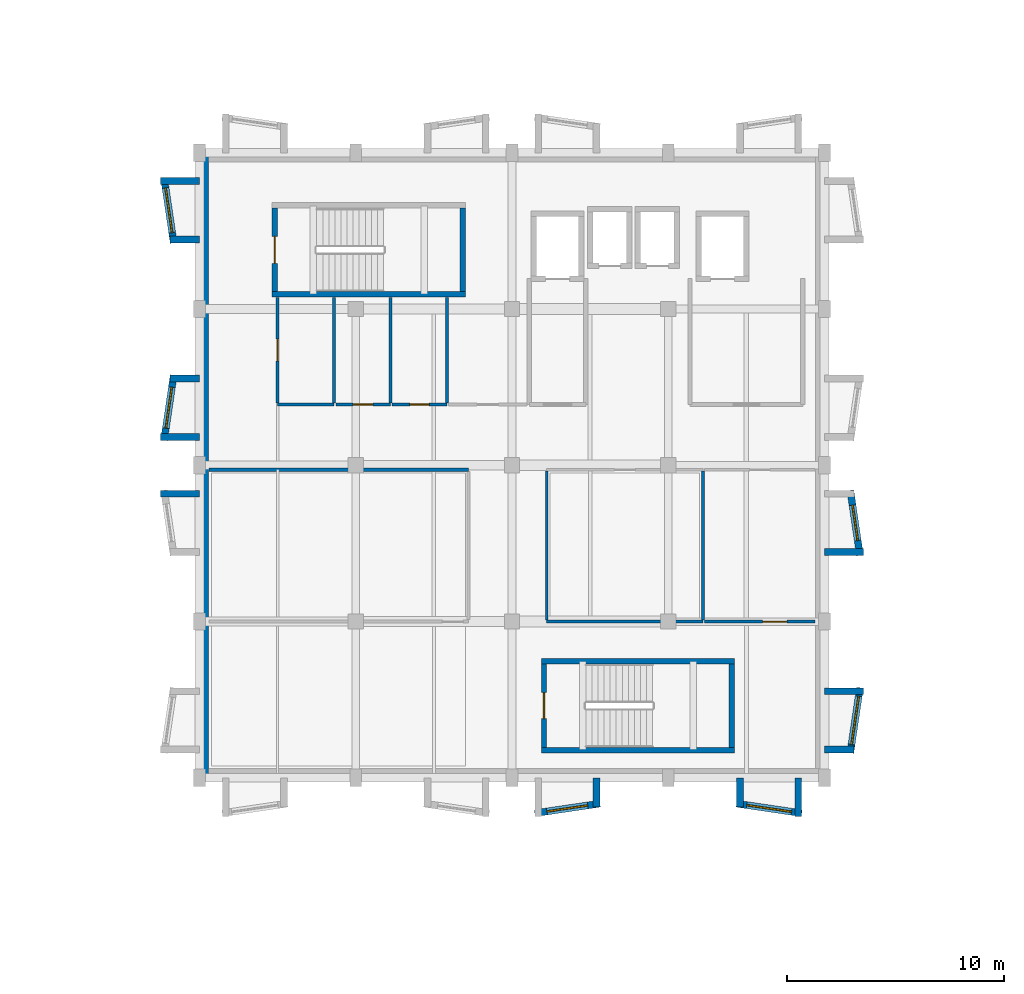
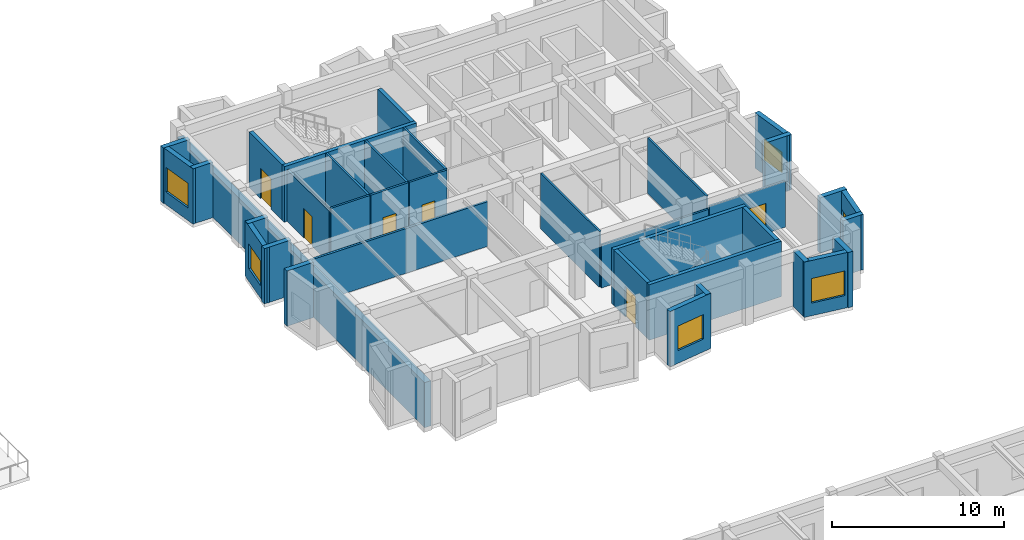
# One storey, part 90 of 99: 37 walls, 6 doors, 6 windows, 12 openings.
"""IFC4 building model written with IfcOpenShell, lengths in metres."""

from ifc_helpers import new_model, si_unit, direction, frame, frame_2d, origin, place, context, subcontext, project, spatial, rectangle, extrude, material, layer, layer_set, type_object, element, fill, save


model = new_model("IFC4")

# Units and contexts
model_context = context("Model", 3, precision=1e-05, world=origin(), true_north=direction((0.0, 1.0)))
body_context = subcontext(model_context, "Body", "Model", "MODEL_VIEW")
ifc_project = project(units=[si_unit("LENGTHUNIT", "METRE"), si_unit("AREAUNIT", "SQUARE_METRE"), si_unit("VOLUMEUNIT", "CUBIC_METRE"), si_unit("PLANEANGLEUNIT", "RADIAN"), si_unit("MASSUNIT", "GRAM", prefix="KILO")], contexts=[model_context])

# Site, building, storey
site_placement = place(None, origin())
site = spatial("IfcSite", under=ifc_project, at=site_placement, CompositionType="ELEMENT")
building_placement = place(site_placement, origin())
building = spatial("IfcBuilding", under=site, at=building_placement, Name="Bramveld Media Centre", CompositionType="ELEMENT")
storey_placement = place(building_placement, frame((0.0, 0.0, 13.800048828125)))
storey = spatial("IfcBuildingStorey", under=building, at=storey_placement, Name="L03", CompositionType="ELEMENT", Elevation=13.800048828125)

# Wall
ifc_material_1 = material(Name="Concrete C40/50 stair & lift core wall", Category="concrete")
ifc_layer_1 = layer(ifc_material_1, 0.25)
ifc_layer_set_1 = layer_set([ifc_layer_1], Name="Concrete C40/50 stair & lift core wall")
wall_type_1 = type_object("IfcWallType", Name="CWALL-SHEAR-250", PredefinedType="SHEAR", material=ifc_layer_set_1)
wall_1_placement = place(storey_placement, frame((134.550048828125, 105.47509765625, 0.0), z_axis=(0.0, 0.0, 1.0), x_axis=(1.0, 0.0, 0.0)))
element("IfcWall", 1, at=wall_1_placement, inside=storey, type_object=wall_type_1, Name="ST-01 L03 stair core shear wall S", PredefinedType="SHEAR", context=body_context, shape_type="SweptSolid", body=[
    extrude(rectangle(XDim=8.89990234375, YDim=0.25, at=frame_2d((4.449951171875, 0.0))), origin(), (0.0, 0.0, 1.0), 3.949951171875),
])

# Wall, opening, door
wall_2_placement = place(storey_placement, frame((134.675048828125, 109.449951171875, 0.0), z_axis=(0.0, 0.0, 1.0), x_axis=(0.0, -1.0, 0.0)))
wall_2 = element("IfcWall", 2, at=wall_2_placement, inside=storey, type_object=wall_type_1, Name="ST-01 L03 stair core shear wall W", PredefinedType="SHEAR", context=body_context, shape_type="SweptSolid", body=[
    extrude(rectangle(XDim=3.849853515625, YDim=0.25, at=frame_2d((1.9248046875, 0.0))), origin(), (0.0, 0.0, 1.0), 3.949951171875),
])
opening_1_placement = place(wall_2_placement, frame((1.300048828125, 0.0, 0.0)))
opening_1 = element("IfcOpeningElement", 3, at=opening_1_placement, cuts=wall_2, Name="Opening SD-01-L03", PredefinedType="OPENING", context=body_context, shape_type="SweptSolid", body=[
    extrude(rectangle(XDim=1.25, YDim=2.14990234375, at=frame_2d((0.625, 1.074951171875))), frame((0.0, 0.136962890625, 0.0), z_axis=(0.0, -1.0, 0.0), x_axis=(1.0, 0.0, 0.0)), (0.0, 0.0, 1.0), 0.27392578125),
])
ifc_material_2 = material(Name="Painted galvanized steel acoustic fire door with intumescent smoke seals", Category="steel")
door_type_1 = type_object("IfcDoorType", Name="DR-ST-1250", OperationType="NOTDEFINED", PredefinedType="DOOR", material=ifc_material_2)
door_1_placement = place(opening_1_placement, origin())
door_1 = element("IfcDoor", 4, at=door_1_placement, inside=storey, type_object=door_type_1, Name="ST-01 L03 pressurized stair fire door", OperationType="SINGLE_SWING_RIGHT", OverallHeight=2.14990234375, OverallWidth=1.25, PredefinedType="DOOR", context=body_context, shape_type="SweptSolid", body=[
    extrude(rectangle(XDim=1.25, YDim=2.14990234375, at=frame_2d((0.625, 1.074951171875))), frame((0.0, 0.02490234375, 0.0), z_axis=(0.0, -1.0, 0.0), x_axis=(1.0, 0.0, 0.0)), (0.0, 0.0, 1.0), 0.050048828125),
])
fill(opening_1, door_1)

# Walls
wall_3_placement = place(storey_placement, frame((143.324951171875, 105.60009765625, 0.0), z_axis=(0.0, 0.0, 1.0), x_axis=(0.0, 1.0, 0.0)))
element("IfcWall", 5, at=wall_3_placement, inside=storey, type_object=wall_type_1, Name="ST-01 L03 stair core shear wall E", PredefinedType="SHEAR", context=body_context, shape_type="SweptSolid", body=[
    extrude(rectangle(XDim=3.849853515625, YDim=0.25, at=frame_2d((1.9248046875, 0.0))), origin(), (0.0, 0.0, 1.0), 3.949951171875),
])
for number, where, z_axis, x_axis, name in (
    (6, (146.949951171875, 84.47509765625, 0.0), (0.0, 0.0, 1.0), (1.0, 0.0, 0.0), "ST-02 L03 stair core shear wall S"),
    (7, (155.85009765625, 88.574951171875, 0.0), (0.0, 0.0, 1.0), (-1.0, 0.0, 0.0), "ST-02 L03 stair core shear wall N"),
):
    element("IfcWall", number, at=place(storey_placement, frame(where, z_axis=z_axis, x_axis=x_axis)), inside=storey, type_object=wall_type_1, Name=name, PredefinedType="SHEAR", context=body_context, shape_type="SweptSolid", body=[
        extrude(rectangle(XDim=8.900146484375, YDim=0.25, at=frame_2d((4.4501953125, 0.0))), origin(), (0.0, 0.0, 1.0), 3.949951171875),
    ])

# Wall, opening, door
wall_4_placement = place(storey_placement, frame((147.074951171875, 88.449951171875, 0.0), z_axis=(0.0, 0.0, 1.0), x_axis=(0.0, -1.0, 0.0)))
wall_4 = element("IfcWall", 8, at=wall_4_placement, inside=storey, type_object=wall_type_1, Name="ST-02 L03 stair core shear wall W", PredefinedType="SHEAR", context=body_context, shape_type="SweptSolid", body=[
    extrude(rectangle(XDim=3.849853515625, YDim=0.25, at=frame_2d((1.9248046875, 0.0))), origin(), (0.0, 0.0, 1.0), 3.949951171875),
])
opening_2_placement = place(wall_4_placement, frame((1.324951171875, 0.0, 0.0)))
opening_2 = element("IfcOpeningElement", 9, at=opening_2_placement, cuts=wall_4, Name="Opening SD-02-L03", PredefinedType="OPENING", context=body_context, shape_type="SweptSolid", body=[
    extrude(rectangle(XDim=1.199951171875, YDim=2.14990234375, at=frame_2d((0.60009765625, 1.074951171875))), frame((0.0, 0.136962890625, 0.0), z_axis=(0.0, -1.0, 0.0), x_axis=(1.0, 0.0, 0.0)), (0.0, 0.0, 1.0), 0.27392578125),
])
ifc_material_3 = material(Name="Painted galvanized steel acoustic fire door with intumescent smoke seals", Category="steel")
door_type_2 = type_object("IfcDoorType", Name="DR-ST-1200", OperationType="NOTDEFINED", PredefinedType="DOOR", material=ifc_material_3)
door_2_placement = place(opening_2_placement, origin())
door_2 = element("IfcDoor", 10, at=door_2_placement, inside=storey, type_object=door_type_2, Name="ST-02 L03 pressurized stair fire door", OperationType="SINGLE_SWING_RIGHT", OverallHeight=2.14990234375, OverallWidth=1.199951171875, PredefinedType="DOOR", context=body_context, shape_type="SweptSolid", body=[
    extrude(rectangle(XDim=1.199951171875, YDim=2.14990234375, at=frame_2d((0.60009765625, 1.074951171875))), frame((0.0, 0.02490234375, 0.0), z_axis=(0.0, -1.0, 0.0), x_axis=(1.0, 0.0, 0.0)), (0.0, 0.0, 1.0), 0.050048828125),
])
fill(opening_2, door_2)

# Walls
wall_5_placement = place(storey_placement, frame((155.72509765625, 84.60009765625, 0.0), z_axis=(0.0, 0.0, 1.0), x_axis=(0.0, 1.0, 0.0)))
element("IfcWall", 11, at=wall_5_placement, inside=storey, type_object=wall_type_1, Name="ST-02 L03 stair core shear wall E", PredefinedType="SHEAR", context=body_context, shape_type="SweptSolid", body=[
    extrude(rectangle(XDim=3.849853515625, YDim=0.25, at=frame_2d((1.9248046875, 0.0))), origin(), (0.0, 0.0, 1.0), 3.949951171875),
])
ifc_material_4 = material(Name="Flemish red-brown clay facing brick cavity wall with concrete C35/45 inner leaf", Category="masonry")
ifc_layer_2 = layer(ifc_material_4, 0.419921875)
ifc_layer_set_2 = layer_set([ifc_layer_2], Name="Flemish red-brown clay facing brick cavity wall with concrete C35/45 inner leaf")
wall_type_2 = type_object("IfcWallType", Name="EW-BRK-420", PredefinedType="SOLIDWALL", material=ifc_layer_set_2)
wall_6_placement = place(storey_placement, frame((131.409912109375, 83.199951171875, 0.0), z_axis=(0.0, 0.0, 1.0), x_axis=(0.0, 1.0, 0.0)))
element("IfcWall", 12, at=wall_6_placement, inside=storey, type_object=wall_type_2, Name="V7 L03 W facing brick exterior wall", PredefinedType="SOLIDWALL", context=body_context, shape_type="SweptSolid", body=[
    extrude(rectangle(XDim=28.800048828125, YDim=0.419921875, at=frame_2d((14.39990234375, 0.0))), origin(), (0.0, 0.0, 1.0), 3.204833984375),
])

# Wall, opening, window
ifc_material_5 = material(Name="Precast concrete C40/50 & brick-slip faceted bay cheek wall", Category="masonry")
ifc_layer_3 = layer(ifc_material_5, 0.320068359375)
ifc_layer_set_3 = layer_set([ifc_layer_3], Name="Precast concrete C40/50 & brick-slip faceted bay cheek wall")
wall_type_3 = type_object("IfcWallType", Name="EW-FACET-320", PredefinedType="SOLIDWALL", material=ifc_layer_set_3)
wall_7_placement = place(storey_placement, frame((146.64990234375, 81.56689453125, 0.0), z_axis=(0.0, 0.0, 1.0), x_axis=(0.989266910268, 0.146119746268, 0.0)))
wall_7 = element("IfcWall", 13, at=wall_7_placement, inside=storey, type_object=wall_type_3, Name="V7 L03 S angled faceted bay front wall 3", PredefinedType="SOLIDWALL", context=body_context, shape_type="SweptSolid", body=[
    extrude(rectangle(XDim=3.032470703125, YDim=0.320068359375, at=frame_2d((1.51611328125, 0.0))), origin(), (0.0, 0.0, 1.0), 3.929931640625),
])
opening_3_placement = place(wall_7_placement, frame((0.56640625, 0.0, 0.89990234375)))
opening_3 = element("IfcOpeningElement", 14, at=opening_3_placement, cuts=wall_7, Name="Opening W-34", PredefinedType="OPENING", context=body_context, shape_type="SweptSolid", body=[
    extrude(rectangle(XDim=1.89990234375, YDim=1.75, at=frame_2d((0.949951171875, 0.875))), frame((0.0, 0.171875, 0.0), z_axis=(0.0, -1.0, 0.0), x_axis=(1.0, 0.0, 0.0)), (0.0, 0.0, 1.0), 0.343994140625),
])
ifc_material_6 = material(Name="Thermally broken anodized bronze aluminium frame with triple acoustic glazing", Category="aluminium")
window_type_1 = type_object("IfcWindowType", Name="WIN-FAC-34", PartitioningType="SINGLE_PANEL", PredefinedType="WINDOW", material=ifc_material_6)
window_1_placement = place(opening_3_placement, origin())
window_1 = element("IfcWindow", 15, at=window_1_placement, inside=storey, type_object=window_type_1, Name="V7 L03 S faceted bay window 3", OverallHeight=1.75, OverallWidth=1.89990234375, PartitioningType="SINGLE_PANEL", PredefinedType="WINDOW", context=body_context, shape_type="SweptSolid", body=[
    extrude(rectangle(XDim=1.89990234375, YDim=1.75, at=frame_2d((0.949951171875, 0.875))), frame((0.0, 0.030029296875, 0.0), z_axis=(0.0, -1.0, 0.0), x_axis=(1.0, 0.0, 0.0)), (0.0, 0.0, 1.0), 0.06005859375),
])
fill(opening_3, window_1)

# Wall
wall_8_placement = place(storey_placement, frame((149.489990234375, 83.199951171875, 0.0), z_axis=(0.0, 0.0, 1.0), x_axis=(0.0, -1.0, 0.0)))
element("IfcWall", 16, at=wall_8_placement, inside=storey, type_object=wall_type_3, Name="V7 L03 S faceted bay cheek wall", PredefinedType="SOLIDWALL", context=body_context, shape_type="SweptSolid", body=[
    extrude(rectangle(XDim=1.349853515625, YDim=0.320068359375, at=frame_2d((0.6748046875, 0.0))), origin(), (0.0, 0.0, 1.0), 3.929931640625),
])

# Wall, opening, window
wall_9_placement = place(storey_placement, frame((155.949951171875, 82.010009765625, 0.0), z_axis=(0.0, 0.0, 1.0), x_axis=(0.989266910268, -0.146119746268, 0.0)))
wall_9 = element("IfcWall", 17, at=wall_9_placement, inside=storey, type_object=wall_type_3, Name="V7 L03 S angled faceted bay front wall 4", PredefinedType="SOLIDWALL", context=body_context, shape_type="SweptSolid", body=[
    extrude(rectangle(XDim=3.032470703125, YDim=0.320068359375, at=frame_2d((1.51611328125, 0.0))), origin(), (0.0, 0.0, 1.0), 3.929931640625),
])
opening_4_placement = place(wall_9_placement, frame((0.476318359375, 0.0, 0.89990234375)))
opening_4 = element("IfcOpeningElement", 18, at=opening_4_placement, cuts=wall_9, Name="Opening W-35", PredefinedType="OPENING", context=body_context, shape_type="SweptSolid", body=[
    extrude(rectangle(XDim=2.080078125, YDim=1.75, at=frame_2d((1.0400390625, 0.875))), frame((0.0, 0.171875, 0.0), z_axis=(0.0, -1.0, 0.0), x_axis=(1.0, 0.0, 0.0)), (0.0, 0.0, 1.0), 0.343994140625),
])
ifc_material_7 = material(Name="Thermally broken anodized bronze aluminium frame with triple acoustic glazing", Category="aluminium")
window_type_2 = type_object("IfcWindowType", Name="WIN-FAC-35", PartitioningType="SINGLE_PANEL", PredefinedType="WINDOW", material=ifc_material_7)
window_2_placement = place(opening_4_placement, origin())
window_2 = element("IfcWindow", 19, at=window_2_placement, inside=storey, type_object=window_type_2, Name="V7 L03 S faceted bay window 4", OverallHeight=1.75, OverallWidth=2.080078125, PartitioningType="SINGLE_PANEL", PredefinedType="WINDOW", context=body_context, shape_type="SweptSolid", body=[
    extrude(rectangle(XDim=2.080078125, YDim=1.75, at=frame_2d((1.0400390625, 0.875))), frame((0.0, 0.030029296875, 0.0), z_axis=(0.0, -1.0, 0.0), x_axis=(1.0, 0.0, 0.0)), (0.0, 0.0, 1.0), 0.06005859375),
])
fill(opening_4, window_2)

# Walls
wall_10_placement = place(storey_placement, frame((156.110107421875, 83.199951171875, 0.0), z_axis=(0.0, 0.0, 1.0), x_axis=(0.0, -1.0, 0.0)))
element("IfcWall", 20, at=wall_10_placement, inside=storey, type_object=wall_type_3, Name="V7 L03 S faceted bay cheek wall", PredefinedType="SOLIDWALL", context=body_context, shape_type="SweptSolid", body=[
    extrude(rectangle(XDim=1.349853515625, YDim=0.320068359375, at=frame_2d((0.6748046875, 0.0))), origin(), (0.0, 0.0, 1.0), 3.929931640625),
])
wall_11_placement = place(storey_placement, frame((158.7900390625, 83.199951171875, 0.0), z_axis=(0.0, 0.0, 1.0), x_axis=(0.0, -1.0, 0.0)))
element("IfcWall", 21, at=wall_11_placement, inside=storey, type_object=wall_type_3, Name="V7 L03 S faceted bay cheek wall", PredefinedType="SOLIDWALL", context=body_context, shape_type="SweptSolid", body=[
    extrude(rectangle(XDim=1.79296875, YDim=0.320068359375, at=frame_2d((0.896484375, 0.0))), origin(), (0.0, 0.0, 1.0), 3.929931640625),
])

# Wall, opening, window
wall_12_placement = place(storey_placement, frame((161.18994140625, 84.35009765625, 0.0), z_axis=(0.0, 0.0, 1.0), x_axis=(0.146119746268, 0.989266910268, 0.0)))
wall_12 = element("IfcWall", 22, at=wall_12_placement, inside=storey, type_object=wall_type_3, Name="V7 L03 E angled faceted bay front wall 1", PredefinedType="SOLIDWALL", context=body_context, shape_type="SweptSolid", body=[
    extrude(rectangle(XDim=3.032470703125, YDim=0.320068359375, at=frame_2d((1.51611328125, 0.0))), origin(), (0.0, 0.0, 1.0), 3.929931640625),
])
opening_5_placement = place(wall_12_placement, frame((0.391357421875, 0.0, 0.89990234375)))
opening_5 = element("IfcOpeningElement", 23, at=opening_5_placement, cuts=wall_12, Name="Opening W-36", PredefinedType="OPENING", context=body_context, shape_type="SweptSolid", body=[
    extrude(rectangle(XDim=2.25, YDim=1.75, at=frame_2d((1.125, 0.875))), frame((0.0, 0.171875, 0.0), z_axis=(0.0, -1.0, 0.0), x_axis=(1.0, 0.0, 0.0)), (0.0, 0.0, 1.0), 0.343994140625),
])
ifc_material_8 = material(Name="Thermally broken anodized bronze aluminium frame with triple acoustic glazing", Category="aluminium")
window_type_3 = type_object("IfcWindowType", Name="WIN-FAC-36", PartitioningType="SINGLE_PANEL", PredefinedType="WINDOW", material=ifc_material_8)
window_3_placement = place(opening_5_placement, origin())
window_3 = element("IfcWindow", 24, at=window_3_placement, inside=storey, type_object=window_type_3, Name="V7 L03 E faceted bay window 1", OverallHeight=1.75, OverallWidth=2.25, PartitioningType="SINGLE_PANEL", PredefinedType="WINDOW", context=body_context, shape_type="SweptSolid", body=[
    extrude(rectangle(XDim=2.25, YDim=1.75, at=frame_2d((1.125, 0.875))), frame((0.0, 0.030029296875, 0.0), z_axis=(0.0, -1.0, 0.0), x_axis=(1.0, 0.0, 0.0)), (0.0, 0.0, 1.0), 0.06005859375),
])
fill(opening_5, window_3)

# Walls
wall_13_placement = place(storey_placement, frame((160.0, 84.510009765625, 0.0), z_axis=(0.0, 0.0, 1.0), x_axis=(1.0, 0.0, 0.0)))
element("IfcWall", 25, at=wall_13_placement, inside=storey, type_object=wall_type_3, Name="V7 L03 E faceted bay cheek wall", PredefinedType="SOLIDWALL", context=body_context, shape_type="SweptSolid", body=[
    extrude(rectangle(XDim=1.35009765625, YDim=0.320068359375, at=frame_2d((0.675048828125, 0.0))), origin(), (0.0, 0.0, 1.0), 3.929931640625),
])
wall_14_placement = place(storey_placement, frame((160.0, 87.18994140625, 0.0), z_axis=(0.0, 0.0, 1.0), x_axis=(1.0, 0.0, 0.0)))
element("IfcWall", 26, at=wall_14_placement, inside=storey, type_object=wall_type_3, Name="V7 L03 E faceted bay cheek wall", PredefinedType="SOLIDWALL", context=body_context, shape_type="SweptSolid", body=[
    extrude(rectangle(XDim=1.79296875, YDim=0.320068359375, at=frame_2d((0.896484375, 0.0))), origin(), (0.0, 0.0, 1.0), 3.929931640625),
])

# Wall, opening, window
wall_15_placement = place(storey_placement, frame((161.633056640625, 93.449951171875, 0.0), z_axis=(0.0, 0.0, 1.0), x_axis=(-0.146119746268, 0.989266910268, 0.0)))
wall_15 = element("IfcWall", 27, at=wall_15_placement, inside=storey, type_object=wall_type_3, Name="V7 L03 E angled faceted bay front wall 2", PredefinedType="SOLIDWALL", context=body_context, shape_type="SweptSolid", body=[
    extrude(rectangle(XDim=3.032470703125, YDim=0.320068359375, at=frame_2d((1.51611328125, 0.0))), origin(), (0.0, 0.0, 1.0), 3.929931640625),
])
opening_6_placement = place(wall_15_placement, frame((0.69140625, 0.0, 0.89990234375)))
opening_6 = element("IfcOpeningElement", 28, at=opening_6_placement, cuts=wall_15, Name="Opening W-25", PredefinedType="OPENING", context=body_context, shape_type="SweptSolid", body=[
    extrude(rectangle(XDim=1.64990234375, YDim=1.449951171875, at=frame_2d((0.824951171875, 0.72509765625))), frame((0.0, 0.171875, 0.0), z_axis=(0.0, -1.0, 0.0), x_axis=(1.0, 0.0, 0.0)), (0.0, 0.0, 1.0), 0.343994140625),
])
ifc_material_9 = material(Name="Thermally broken anodized bronze aluminium frame with triple acoustic glazing", Category="aluminium")
window_type_4 = type_object("IfcWindowType", Name="WIN-FAC-25", PartitioningType="SINGLE_PANEL", PredefinedType="WINDOW", material=ifc_material_9)
window_4_placement = place(opening_6_placement, origin())
window_4 = element("IfcWindow", 29, at=window_4_placement, inside=storey, type_object=window_type_4, Name="V7 L03 E faceted bay window 2", OverallHeight=1.449951171875, OverallWidth=1.64990234375, PartitioningType="SINGLE_PANEL", PredefinedType="WINDOW", context=body_context, shape_type="SweptSolid", body=[
    extrude(rectangle(XDim=1.64990234375, YDim=1.449951171875, at=frame_2d((0.824951171875, 0.72509765625))), frame((0.0, 0.030029296875, 0.0), z_axis=(0.0, -1.0, 0.0), x_axis=(1.0, 0.0, 0.0)), (0.0, 0.0, 1.0), 0.06005859375),
])
fill(opening_6, window_4)

# Walls
for number, where, z_axis, x_axis, name in (
    (30, (160.0, 93.610107421875, 0.0), (0.0, 0.0, 1.0), (1.0, 0.0, 0.0), "V7 L03 E faceted bay cheek wall"),
    (31, (131.199951171875, 96.2900390625, 0.0), (0.0, 0.0, 1.0), (-1.0, 0.0, 0.0), "V7 L03 W faceted bay cheek wall"),
):
    element("IfcWall", number, at=place(storey_placement, frame(where, z_axis=z_axis, x_axis=x_axis)), inside=storey, type_object=wall_type_3, Name=name, PredefinedType="SOLIDWALL", context=body_context, shape_type="SweptSolid", body=[
        extrude(rectangle(XDim=1.79296875, YDim=0.320068359375, at=frame_2d((0.896484375, 0.0))), origin(), (0.0, 0.0, 1.0), 3.929931640625),
    ])

# Wall, opening, window
wall_16_placement = place(storey_placement, frame((130.010009765625, 101.75, 0.0), z_axis=(0.0, 0.0, 1.0), x_axis=(-0.146119746268, -0.989266910268, 0.0)))
wall_16 = element("IfcWall", 32, at=wall_16_placement, inside=storey, type_object=wall_type_3, Name="V7 L03 W angled faceted bay front wall 3", PredefinedType="SOLIDWALL", context=body_context, shape_type="SweptSolid", body=[
    extrude(rectangle(XDim=3.032470703125, YDim=0.320068359375, at=frame_2d((1.51611328125, 0.0))), origin(), (0.0, 0.0, 1.0), 3.929931640625),
])
opening_7_placement = place(wall_16_placement, frame((0.56640625, 0.0, 0.89990234375)))
opening_7 = element("IfcOpeningElement", 33, at=opening_7_placement, cuts=wall_16, Name="Opening W-34", PredefinedType="OPENING", context=body_context, shape_type="SweptSolid", body=[
    extrude(rectangle(XDim=1.89990234375, YDim=1.75, at=frame_2d((0.949951171875, 0.875))), frame((0.0, 0.171875, 0.0), z_axis=(0.0, -1.0, 0.0), x_axis=(1.0, 0.0, 0.0)), (0.0, 0.0, 1.0), 0.343994140625),
])
window_5_placement = place(opening_7_placement, origin())
window_5 = element("IfcWindow", 34, at=window_5_placement, inside=storey, type_object=window_type_1, Name="V7 L03 W faceted bay window 3", OverallHeight=1.75, OverallWidth=1.89990234375, PartitioningType="SINGLE_PANEL", PredefinedType="WINDOW", context=body_context, shape_type="SweptSolid", body=[
    extrude(rectangle(XDim=1.89990234375, YDim=1.75, at=frame_2d((0.949951171875, 0.875))), frame((0.0, 0.030029296875, 0.0), z_axis=(0.0, -1.0, 0.0), x_axis=(1.0, 0.0, 0.0)), (0.0, 0.0, 1.0), 0.06005859375),
])
fill(opening_7, window_5)

# Walls
wall_17_placement = place(storey_placement, frame((131.199951171875, 98.909912109375, 0.0), z_axis=(0.0, 0.0, 1.0), x_axis=(-1.0, 0.0, 0.0)))
element("IfcWall", 35, at=wall_17_placement, inside=storey, type_object=wall_type_3, Name="V7 L03 W faceted bay cheek wall", PredefinedType="SOLIDWALL", context=body_context, shape_type="SweptSolid", body=[
    extrude(rectangle(XDim=1.79296875, YDim=0.320068359375, at=frame_2d((0.896484375, 0.0))), origin(), (0.0, 0.0, 1.0), 3.929931640625),
])
wall_18_placement = place(storey_placement, frame((131.199951171875, 101.590087890625, 0.0), z_axis=(0.0, 0.0, 1.0), x_axis=(-1.0, 0.0, 0.0)))
element("IfcWall", 36, at=wall_18_placement, inside=storey, type_object=wall_type_3, Name="V7 L03 W faceted bay cheek wall", PredefinedType="SOLIDWALL", context=body_context, shape_type="SweptSolid", body=[
    extrude(rectangle(XDim=1.349853515625, YDim=0.320068359375, at=frame_2d((0.6748046875, 0.0))), origin(), (0.0, 0.0, 1.0), 3.929931640625),
])

# Wall, opening, window
wall_19_placement = place(storey_placement, frame((129.56689453125, 110.85009765625, 0.0), z_axis=(0.0, 0.0, 1.0), x_axis=(0.146119746268, -0.989266910268, 0.0)))
wall_19 = element("IfcWall", 37, at=wall_19_placement, inside=storey, type_object=wall_type_3, Name="V7 L03 W angled faceted bay front wall 4", PredefinedType="SOLIDWALL", context=body_context, shape_type="SweptSolid", body=[
    extrude(rectangle(XDim=3.032470703125, YDim=0.320068359375, at=frame_2d((1.51611328125, 0.0))), origin(), (0.0, 0.0, 1.0), 3.929931640625),
])
opening_8_placement = place(wall_19_placement, frame((0.476318359375, 0.0, 0.89990234375)))
opening_8 = element("IfcOpeningElement", 38, at=opening_8_placement, cuts=wall_19, Name="Opening W-35", PredefinedType="OPENING", context=body_context, shape_type="SweptSolid", body=[
    extrude(rectangle(XDim=2.080078125, YDim=1.75, at=frame_2d((1.0400390625, 0.875))), frame((0.0, 0.171875, 0.0), z_axis=(0.0, -1.0, 0.0), x_axis=(1.0, 0.0, 0.0)), (0.0, 0.0, 1.0), 0.343994140625),
])
window_6_placement = place(opening_8_placement, origin())
window_6 = element("IfcWindow", 39, at=window_6_placement, inside=storey, type_object=window_type_2, Name="V7 L03 W faceted bay window 4", OverallHeight=1.75, OverallWidth=2.080078125, PartitioningType="SINGLE_PANEL", PredefinedType="WINDOW", context=body_context, shape_type="SweptSolid", body=[
    extrude(rectangle(XDim=2.080078125, YDim=1.75, at=frame_2d((1.0400390625, 0.875))), frame((0.0, 0.030029296875, 0.0), z_axis=(0.0, -1.0, 0.0), x_axis=(1.0, 0.0, 0.0)), (0.0, 0.0, 1.0), 0.06005859375),
])
fill(opening_8, window_6)

# Walls
wall_20_placement = place(storey_placement, frame((131.199951171875, 108.010009765625, 0.0), z_axis=(0.0, 0.0, 1.0), x_axis=(-1.0, 0.0, 0.0)))
element("IfcWall", 40, at=wall_20_placement, inside=storey, type_object=wall_type_3, Name="V7 L03 W faceted bay cheek wall", PredefinedType="SOLIDWALL", context=body_context, shape_type="SweptSolid", body=[
    extrude(rectangle(XDim=1.349853515625, YDim=0.320068359375, at=frame_2d((0.6748046875, 0.0))), origin(), (0.0, 0.0, 1.0), 3.929931640625),
])
wall_21_placement = place(storey_placement, frame((131.199951171875, 110.68994140625, 0.0), z_axis=(0.0, 0.0, 1.0), x_axis=(-1.0, 0.0, 0.0)))
element("IfcWall", 41, at=wall_21_placement, inside=storey, type_object=wall_type_3, Name="V7 L03 W faceted bay cheek wall", PredefinedType="SOLIDWALL", context=body_context, shape_type="SweptSolid", body=[
    extrude(rectangle(XDim=1.79296875, YDim=0.320068359375, at=frame_2d((0.896484375, 0.0))), origin(), (0.0, 0.0, 1.0), 3.929931640625),
])
ifc_material_10 = material(Name="Lightweight acoustic stud partition", Category="gypsum")
ifc_layer_4 = layer(ifc_material_10, 0.125)
ifc_layer_set_4 = layer_set([ifc_layer_4], Name="Lightweight acoustic stud partition")
wall_type_4 = type_object("IfcWallType", Name="IW-PART-125", PredefinedType="PARTITIONING", material=ifc_layer_set_4)
wall_22_placement = place(storey_placement, frame((147.199951171875, 90.39990234375, 0.0), z_axis=(0.0, 0.0, 1.0), x_axis=(1.0, 0.0, 0.0)))
element("IfcWall", 42, at=wall_22_placement, inside=storey, type_object=wall_type_4, Name="Foley & Voice-Over Studio 4 partition wall", PredefinedType="PARTITIONING", context=body_context, shape_type="SweptSolid", body=[
    extrude(rectangle(XDim=7.199951171875, YDim=0.125, at=frame_2d((3.60009765625, 0.0))), origin(), (0.0, 0.0, 1.0), 3.074951171875),
])
for number, where, z_axis, x_axis, name in (
    (43, (147.199951171875, 90.472412109375, 0.0), (0.0, 0.0, 1.0), (0.0, 1.0, 0.0), "Foley & Voice-Over Studio 4 partition wall"),
    (44, (154.39990234375, 90.472412109375, 0.0), (0.0, 0.0, 1.0), (0.0, 1.0, 0.0), "Foley & Voice-Over Studio 4 partition wall"),
):
    element("IfcWall", number, at=place(storey_placement, frame(where, z_axis=z_axis, x_axis=x_axis)), inside=storey, type_object=wall_type_4, Name=name, PredefinedType="PARTITIONING", context=body_context, shape_type="SweptSolid", body=[
        extrude(rectangle(XDim=6.85498046875, YDim=0.125, at=frame_2d((3.427490234375, 0.0))), origin(), (0.0, 0.0, 1.0), 3.949951171875),
    ])

# Wall, opening, door
wall_23_placement = place(storey_placement, frame((154.472412109375, 90.39990234375, 0.0), z_axis=(0.0, 0.0, 1.0), x_axis=(1.0, 0.0, 0.0)))
wall_23 = element("IfcWall", 45, at=wall_23_placement, inside=storey, type_object=wall_type_4, Name="Audio Mastering Room partition wall", PredefinedType="PARTITIONING", context=body_context, shape_type="SweptSolid", body=[
    extrude(rectangle(XDim=5.09765625, YDim=0.125, at=frame_2d((2.548828125, 0.0))), origin(), (0.0, 0.0, 1.0), 3.27490234375),
])
opening_9_placement = place(wall_23_placement, frame((2.672607421875, 0.0, 0.0)))
opening_9 = element("IfcOpeningElement", 46, at=opening_9_placement, cuts=wall_23, Name="Opening D-03-169", PredefinedType="OPENING", context=body_context, shape_type="SweptSolid", body=[
    extrude(rectangle(XDim=1.1201171875, YDim=2.14990234375, at=frame_2d((0.56005859375, 1.074951171875))), frame((0.0, 0.074462890625, 0.0), z_axis=(0.0, -1.0, 0.0), x_axis=(1.0, 0.0, 0.0)), (0.0, 0.0, 1.0), 0.14892578125),
])
ifc_material_11 = material(Name="Solid-core European oak acoustic timber leaf in steel frame", Category="steel")
door_type_3 = type_object("IfcDoorType", Name="DR-RM-1120", OperationType="NOTDEFINED", PredefinedType="DOOR", material=ifc_material_11)
door_3_placement = place(opening_9_placement, origin())
door_3 = element("IfcDoor", 47, at=door_3_placement, inside=storey, type_object=door_type_3, Name="Digital Journalism Lab entrance door", OperationType="SINGLE_SWING_LEFT", OverallHeight=2.14990234375, OverallWidth=1.1201171875, PredefinedType="DOOR", context=body_context, shape_type="SweptSolid", body=[
    extrude(rectangle(XDim=1.1201171875, YDim=2.14990234375, at=frame_2d((0.56005859375, 1.074951171875))), frame((0.0, 0.02490234375, 0.0), z_axis=(0.0, -1.0, 0.0), x_axis=(1.0, 0.0, 0.0)), (0.0, 0.0, 1.0), 0.050048828125),
])
fill(opening_9, door_3)

# Walls
ifc_material_12 = material(Name="Insulated metal-stud gypsum room partition", Category="gypsum")
ifc_layer_5 = layer(ifc_material_12, 0.14990234375)
ifc_layer_set_5 = layer_set([ifc_layer_5], Name="Insulated metal-stud gypsum room partition")
wall_type_5 = type_object("IfcWallType", Name="IW-PART-150", PredefinedType="PARTITIONING", material=ifc_layer_set_5)
wall_24_placement = place(storey_placement, frame((131.6298828125, 97.39990234375, 0.0), z_axis=(0.0, 0.0, 1.0), x_axis=(1.0, 0.0, 0.0)))
element("IfcWall", 48, at=wall_24_placement, inside=storey, type_object=wall_type_5, Name="Brussels Regional Media Incubator partition wall", PredefinedType="PARTITIONING", context=body_context, shape_type="SweptSolid", body=[
    extrude(rectangle(XDim=11.97021484375, YDim=0.14990234375, at=frame_2d((5.985107421875, 0.0))), origin(), (0.0, 0.0, 1.0), 3.175048828125),
])
ifc_material_13 = material(Name="Moisture-resistant cement-board sanitary partition", Category="gypsum")
ifc_layer_6 = layer(ifc_material_13, 0.139892578125)
ifc_layer_set_6 = layer_set([ifc_layer_6], Name="Moisture-resistant cement-board sanitary partition")
wall_type_6 = type_object("IfcWallType", Name="IW-WET-140", PredefinedType="PARTITIONING", material=ifc_layer_set_6)
wall_25_placement = place(storey_placement, frame((134.800048828125, 100.39990234375, 0.0), z_axis=(0.0, 0.0, 1.0), x_axis=(1.0, 0.0, 0.0)))
element("IfcWall", 49, at=wall_25_placement, inside=storey, type_object=wall_type_6, Name="Accessible WC partition wall", PredefinedType="PARTITIONING", context=body_context, shape_type="SweptSolid", body=[
    extrude(rectangle(XDim=2.599853515625, YDim=0.139892578125, at=frame_2d((1.2998046875, 0.0))), origin(), (0.0, 0.0, 1.0), 3.949951171875),
])

# Wall, opening, door
wall_26_placement = place(storey_placement, frame((134.800048828125, 100.47998046875, 0.0), z_axis=(0.0, 0.0, 1.0), x_axis=(0.0, 1.0, 0.0)))
wall_26 = element("IfcWall", 50, at=wall_26_placement, inside=storey, type_object=wall_type_6, Name="Accessible WC partition wall", PredefinedType="PARTITIONING", context=body_context, shape_type="SweptSolid", body=[
    extrude(rectangle(XDim=4.860107421875, YDim=0.139892578125, at=frame_2d((2.43017578125, 0.0))), origin(), (0.0, 0.0, 1.0), 3.68505859375),
])
opening_10_placement = place(wall_26_placement, frame((1.929931640625, 0.0, 0.0)))
opening_10 = element("IfcOpeningElement", 51, at=opening_10_placement, cuts=wall_26, Name="Opening D-03-162", PredefinedType="OPENING", context=body_context, shape_type="SweptSolid", body=[
    extrude(rectangle(XDim=1.0, YDim=2.10009765625, at=frame_2d((0.5, 1.050048828125))), frame((0.0, 0.08203125, 0.0), z_axis=(0.0, -1.0, 0.0), x_axis=(1.0, 0.0, 0.0)), (0.0, 0.0, 1.0), 0.163818359375),
])
ifc_material_14 = material(Name="Solid-core European oak acoustic timber leaf in steel frame", Category="steel")
door_type_4 = type_object("IfcDoorType", Name="DR-WC-PMR-1000", OperationType="NOTDEFINED", PredefinedType="DOOR", material=ifc_material_14)
door_4_placement = place(opening_10_placement, origin())
door_4 = element("IfcDoor", 52, at=door_4_placement, inside=storey, type_object=door_type_4, Name="Accessible WC entrance door", OperationType="SINGLE_SWING_RIGHT", OverallHeight=2.10009765625, OverallWidth=1.0, PredefinedType="DOOR", context=body_context, shape_type="SweptSolid", body=[
    extrude(rectangle(XDim=1.0, YDim=2.10009765625, at=frame_2d((0.5, 1.050048828125))), frame((0.0, 0.02490234375, 0.0), z_axis=(0.0, -1.0, 0.0), x_axis=(1.0, 0.0, 0.0)), (0.0, 0.0, 1.0), 0.050048828125),
])
fill(opening_10, door_4)

# Wall
wall_27_placement = place(storey_placement, frame((137.39990234375, 100.47998046875, 0.0), z_axis=(0.0, 0.0, 1.0), x_axis=(0.0, 1.0, 0.0)))
element("IfcWall", 53, at=wall_27_placement, inside=storey, type_object=wall_type_6, Name="Accessible WC partition wall", PredefinedType="PARTITIONING", context=body_context, shape_type="SweptSolid", body=[
    extrude(rectangle(XDim=4.860107421875, YDim=0.139892578125, at=frame_2d((2.43017578125, 0.0))), origin(), (0.0, 0.0, 1.0), 3.949951171875),
])

# Wall, opening, door
wall_28_placement = place(storey_placement, frame((137.47998046875, 100.39990234375, 0.0), z_axis=(0.0, 0.0, 1.0), x_axis=(1.0, 0.0, 0.0)))
wall_28 = element("IfcWall", 54, at=wall_28_placement, inside=storey, type_object=wall_type_6, Name="Male WC partition wall", PredefinedType="PARTITIONING", context=body_context, shape_type="SweptSolid", body=[
    extrude(rectangle(XDim=2.52001953125, YDim=0.139892578125, at=frame_2d((1.260009765625, 0.0))), origin(), (0.0, 0.0, 1.0), 3.949951171875),
])
opening_11_placement = place(wall_28_placement, frame((0.804931640625, 0.0, 0.0)))
opening_11 = element("IfcOpeningElement", 55, at=opening_11_placement, cuts=wall_28, Name="Opening D-03-163", PredefinedType="OPENING", context=body_context, shape_type="SweptSolid", body=[
    extrude(rectangle(XDim=0.909912109375, YDim=2.06005859375, at=frame_2d((0.455078125, 1.030029296875))), frame((0.0, 0.08203125, 0.0), z_axis=(0.0, -1.0, 0.0), x_axis=(1.0, 0.0, 0.0)), (0.0, 0.0, 1.0), 0.163818359375),
])
ifc_material_15 = material(Name="Solid-core European oak acoustic timber leaf in steel frame", Category="steel")
door_type_5 = type_object("IfcDoorType", Name="DR-WC-0910", OperationType="NOTDEFINED", PredefinedType="DOOR", material=ifc_material_15)
door_5_placement = place(opening_11_placement, origin())
door_5 = element("IfcDoor", 56, at=door_5_placement, inside=storey, type_object=door_type_5, Name="Male WC entrance door", OperationType="SINGLE_SWING_LEFT", OverallHeight=2.06005859375, OverallWidth=0.909912109375, PredefinedType="DOOR", context=body_context, shape_type="SweptSolid", body=[
    extrude(rectangle(XDim=0.909912109375, YDim=2.06005859375, at=frame_2d((0.455078125, 1.030029296875))), frame((0.0, 0.02490234375, 0.0), z_axis=(0.0, -1.0, 0.0), x_axis=(1.0, 0.0, 0.0)), (0.0, 0.0, 1.0), 0.050048828125),
])
fill(opening_11, door_5)

# Wall
wall_29_placement = place(storey_placement, frame((140.0, 100.47998046875, 0.0), z_axis=(0.0, 0.0, 1.0), x_axis=(0.0, 1.0, 0.0)))
element("IfcWall", 57, at=wall_29_placement, inside=storey, type_object=wall_type_6, Name="Male WC partition wall", PredefinedType="PARTITIONING", context=body_context, shape_type="SweptSolid", body=[
    extrude(rectangle(XDim=4.860107421875, YDim=0.139892578125, at=frame_2d((2.43017578125, 0.0))), origin(), (0.0, 0.0, 1.0), 3.949951171875),
])

# Wall, opening, door
wall_30_placement = place(storey_placement, frame((140.080078125, 100.39990234375, 0.0), z_axis=(0.0, 0.0, 1.0), x_axis=(1.0, 0.0, 0.0)))
wall_30 = element("IfcWall", 58, at=wall_30_placement, inside=storey, type_object=wall_type_6, Name="Female WC partition wall", PredefinedType="PARTITIONING", context=body_context, shape_type="SweptSolid", body=[
    extrude(rectangle(XDim=2.52001953125, YDim=0.139892578125, at=frame_2d((1.260009765625, 0.0))), origin(), (0.0, 0.0, 1.0), 3.949951171875),
])
opening_12_placement = place(wall_30_placement, frame((0.81494140625, 0.0, 0.0)))
opening_12 = element("IfcOpeningElement", 59, at=opening_12_placement, cuts=wall_30, Name="Opening D-03-164", PredefinedType="OPENING", context=body_context, shape_type="SweptSolid", body=[
    extrude(rectangle(XDim=0.889892578125, YDim=2.050048828125, at=frame_2d((0.44482421875, 1.02490234375))), frame((0.0, 0.08203125, 0.0), z_axis=(0.0, -1.0, 0.0), x_axis=(1.0, 0.0, 0.0)), (0.0, 0.0, 1.0), 0.163818359375),
])
ifc_material_16 = material(Name="Solid-core European oak acoustic timber leaf in steel frame", Category="steel")
door_type_6 = type_object("IfcDoorType", Name="DR-WC-0890", OperationType="NOTDEFINED", PredefinedType="DOOR", material=ifc_material_16)
door_6_placement = place(opening_12_placement, origin())
door_6 = element("IfcDoor", 60, at=door_6_placement, inside=storey, type_object=door_type_6, Name="Female WC entrance door", OperationType="SINGLE_SWING_RIGHT", OverallHeight=2.050048828125, OverallWidth=0.889892578125, PredefinedType="DOOR", context=body_context, shape_type="SweptSolid", body=[
    extrude(rectangle(XDim=0.889892578125, YDim=2.050048828125, at=frame_2d((0.44482421875, 1.02490234375))), frame((0.0, 0.02490234375, 0.0), z_axis=(0.0, -1.0, 0.0), x_axis=(1.0, 0.0, 0.0)), (0.0, 0.0, 1.0), 0.050048828125),
])
fill(opening_12, door_6)

# Wall
wall_31_placement = place(storey_placement, frame((142.60009765625, 100.47998046875, 0.0), z_axis=(0.0, 0.0, 1.0), x_axis=(0.0, 1.0, 0.0)))
element("IfcWall", 61, at=wall_31_placement, inside=storey, type_object=wall_type_6, Name="Female WC partition wall", PredefinedType="PARTITIONING", context=body_context, shape_type="SweptSolid", body=[
    extrude(rectangle(XDim=4.860107421875, YDim=0.139892578125, at=frame_2d((2.43017578125, 0.0))), origin(), (0.0, 0.0, 1.0), 3.949951171875),
])

save(model, "model.ifc")
